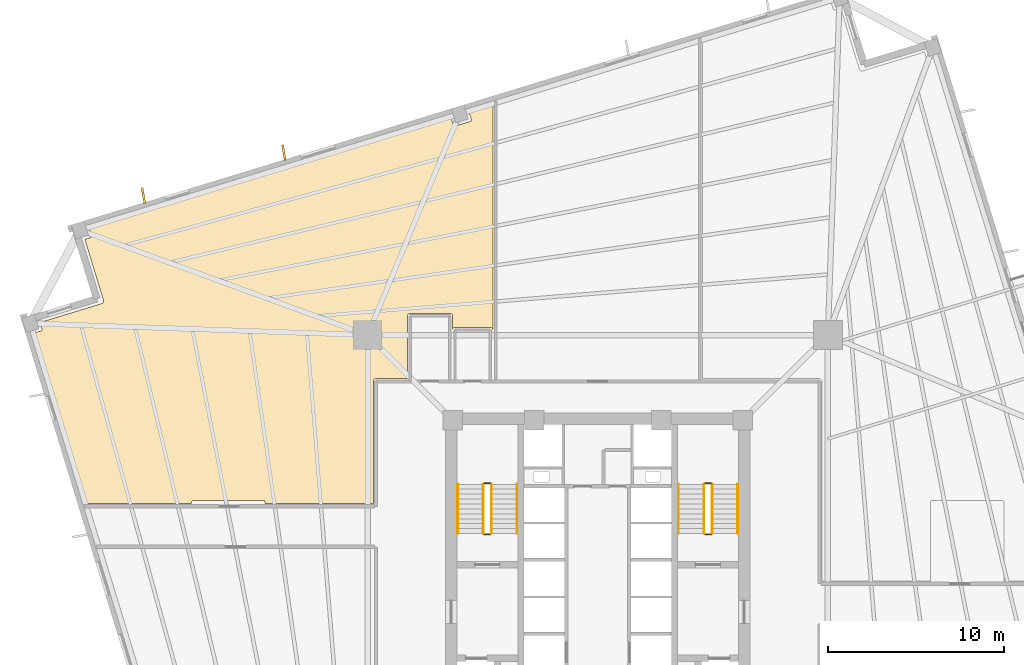
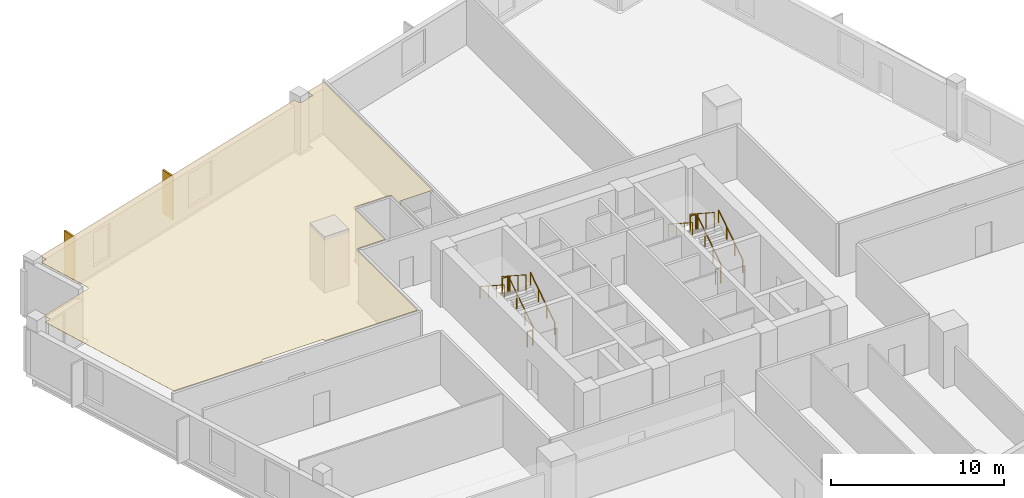
# One storey, part 8 of 9: 12 railings, 3 coverings.
"""IFC4 building model written with IfcOpenShell, lengths in metres."""

from ifc_helpers import new_model, si_unit, direction, frame, origin, origin_2d, place, context, subcontext, project, spatial, polyline, rectangle, circle, outline, extrude, source, transform, mapped, material, layer, layer_set, type_object, element, save


model = new_model("IFC4")

# Units and contexts
model_context = context("Model", 3, precision=1e-05, world=origin(), true_north=direction((0.0, 1.0)))
body_context = subcontext(model_context, "Body", "Model", "MODEL_VIEW")
ifc_project = project(units=[si_unit("LENGTHUNIT", "METRE"), si_unit("AREAUNIT", "SQUARE_METRE"), si_unit("VOLUMEUNIT", "CUBIC_METRE"), si_unit("PLANEANGLEUNIT", "RADIAN"), si_unit("MASSUNIT", "GRAM", prefix="KILO"), si_unit("THERMODYNAMICTEMPERATUREUNIT", "KELVIN")], contexts=[model_context])

# Site, building, storey
site_placement = place(None, origin())
site = spatial("IfcSite", under=ifc_project, at=site_placement, CompositionType="ELEMENT")
building_placement = place(site_placement, origin())
building = spatial("IfcBuilding", under=site, at=building_placement, Name="Kosmvard Interchange Tower", CompositionType="ELEMENT")
storey_placement = place(building_placement, frame((0.0, 0.0, 107.199951171875)))
storey = spatial("IfcBuildingStorey", under=building, at=storey_placement, Name="L25", CompositionType="ELEMENT", Elevation=107.199951171875)

# Coverings
ifc_material_1 = material(Name="Acoustic gypsum ceiling tile")
ifc_layer_1 = layer(ifc_material_1, 0.02490234375, Name="Acoustic gypsum ceiling tile")
ifc_layer_set_1 = layer_set([ifc_layer_1], Name="Acoustic gypsum ceiling tile")
covering_type_1 = type_object("IfcCoveringType", Name="Acoustic Perforated Suspended Ceiling 25", PredefinedType="CEILING", material=ifc_layer_set_1)
covering_placement = place(storey_placement, frame((0.0, 0.0, 3.715087890625)))
element("IfcCovering", 1, at=covering_placement, inside=storey, type_object=covering_type_1, Name="L25 Acoustic Ceiling L25-LNG1", PredefinedType="CEILING", context=body_context, shape_type="SweptSolid", body=[
    extrude(outline(polyline([(-8.284912109375, 14.248779296875), (-8.281494140625, 14.2431640625), (-8.27783203125, 14.236328125), (-8.27490234375, 14.230224609375), (-8.27197265625, 14.222900390625), (-8.269775390625, 14.216796875), (-8.267578125, 14.209228515625), (-8.265869140625, 14.20263671875), (-8.264404296875, 14.195068359375), (-8.263427734375, 14.1884765625), (-8.2626953125, 14.1806640625), (-8.26220703125, 14.173828125), (-8.26220703125, 14.169921875), (-8.26220703125, 10.60498046875), (-8.259033203125, 10.60498046875), (-8.259033203125, 13.3701171875), (-8.259033203125, 13.3740234375), (-8.258544921875, 13.380615234375), (-8.2578125, 13.388427734375), (-8.2568359375, 13.39501953125), (-8.25537109375, 13.402587890625), (-8.253662109375, 13.4091796875), (-8.25146484375, 13.416748046875), (-8.249267578125, 13.423095703125), (-8.246337890625, 13.43017578125), (-8.243408203125, 13.436279296875), (-8.23974609375, 13.443115234375), (-8.236328125, 13.448974609375), (-8.23193359375, 13.45556640625), (-8.227783203125, 13.4609375), (-8.222900390625, 13.466796875), (-8.218505859375, 13.471923828125), (-8.212890625, 13.477294921875), (-8.2080078125, 13.48193359375), (-8.201904296875, 13.48681640625), (-8.196533203125, 13.49072265625), (-8.18994140625, 13.4951171875), (-8.184326171875, 13.49853515625), (-8.17724609375, 13.502197265625), (-8.17138671875, 13.505126953125), (-8.1640625, 13.508056640625), (-8.15771484375, 13.510498046875), (-8.150146484375, 13.5126953125), (-8.143798828125, 13.514404296875), (-8.135986328125, 13.515869140625), (-8.12939453125, 13.516845703125), (-8.12158203125, 13.517578125), (-8.114990234375, 13.517822265625), (-8.111083984375, 13.51806640625), (-6.111083984375, 13.51806640625), (-6.107177734375, 13.517822265625), (-6.100341796875, 13.517578125), (-6.0927734375, 13.516845703125), (-6.086181640625, 13.515869140625), (-6.078369140625, 13.514404296875), (-6.072021484375, 13.5126953125), (-6.064453125, 13.510498046875), (-6.05810546875, 13.508056640625), (-6.05078125, 13.505126953125), (-6.044921875, 13.502197265625), (-6.037841796875, 13.49853515625), (-6.0322265625, 13.4951171875), (-6.025634765625, 13.49072265625), (-6.020263671875, 13.48681640625), (-6.01416015625, 13.48193359375), (-6.00927734375, 13.477294921875), (-6.003662109375, 13.471923828125), (-5.999267578125, 13.466796875), (-5.994140625, 13.460693359375), (-5.990234375, 13.455322265625), (-5.98583984375, 13.448974609375), (-5.982421875, 13.443115234375), (-5.978759765625, 13.436279296875), (-5.97607421875, 13.430419921875), (-5.972900390625, 13.423095703125), (-5.970703125, 13.416748046875), (-5.968505859375, 13.4091796875), (-5.966796875, 13.402587890625), (-5.96533203125, 13.39501953125), (-5.96435546875, 13.388427734375), (-5.96337890625, 13.380615234375), (-5.963134765625, 13.373779296875), (-5.963134765625, 13.3701171875), (-5.963134765625, 10.60498046875), (-5.9599609375, 10.60498046875), (-5.9599609375, 26.113525390625), (-7.299072265625, 25.7041015625), (-7.18359375, 25.326416015625), (-7.181640625, 25.31884765625), (-7.180419921875, 25.31103515625), (-7.18017578125, 25.30322265625), (-7.180419921875, 25.29541015625), (-7.181640625, 25.28759765625), (-7.18359375, 25.280029296875), (-7.18603515625, 25.2724609375), (-7.189453125, 25.265380859375), (-7.193603515625, 25.2587890625), (-7.1982421875, 25.25244140625), (-7.203369140625, 25.24658203125), (-7.209228515625, 25.2412109375), (-7.215576171875, 25.236572265625), (-7.22216796875, 25.232421875), (-7.229248046875, 25.229248046875), (-7.23681640625, 25.2265625), (-8.10693359375, 24.96044921875), (-8.114501953125, 24.95849609375), (-8.122314453125, 24.957275390625), (-8.130126953125, 24.95703125), (-8.137939453125, 24.957275390625), (-8.145751953125, 24.95849609375), (-8.1533203125, 24.960205078125), (-8.160888671875, 24.962890625), (-8.16796875, 24.96630859375), (-8.174560546875, 24.97021484375), (-8.180908203125, 24.974853515625), (-8.186767578125, 24.980224609375), (-8.192138671875, 24.986083984375), (-8.19677734375, 24.992431640625), (-8.200927734375, 24.9990234375), (-8.2041015625, 25.006103515625), (-8.206787109375, 25.013427734375), (-8.322265625, 25.391357421875), (-28.8876953125, 19.103759765625), (-28.772216796875, 18.72607421875), (-28.770263671875, 18.718505859375), (-28.76904296875, 18.710693359375), (-28.768798828125, 18.702880859375), (-28.76904296875, 18.695068359375), (-28.770263671875, 18.687255859375), (-28.77197265625, 18.6796875), (-28.774658203125, 18.672119140625), (-28.778076171875, 18.6650390625), (-28.781982421875, 18.658447265625), (-28.78662109375, 18.652099609375), (-28.7919921875, 18.646240234375), (-28.7978515625, 18.640869140625), (-28.80419921875, 18.63623046875), (-28.810791015625, 18.63232421875), (-28.81787109375, 18.62890625), (-28.8251953125, 18.626220703125), (-29.1552734375, 18.525390625), (-28.096923828125, 15.0634765625), (-28.095703125, 15.0595703125), (-28.093994140625, 15.052490234375), (-28.092529296875, 15.044921875), (-28.09130859375, 15.03759765625), (-28.090576171875, 15.02978515625), (-28.090087890625, 15.0224609375), (-28.090087890625, 15.014404296875), (-28.090576171875, 15.007080078125), (-28.09130859375, 14.99951171875), (-28.09228515625, 14.9921875), (-28.09375, 14.984375), (-28.095703125, 14.977294921875), (-28.097900390625, 14.9697265625), (-28.100341796875, 14.962646484375), (-28.103271484375, 14.95556640625), (-28.1064453125, 14.948974609375), (-28.110107421875, 14.942138671875), (-28.11376953125, 14.935791015625), (-28.1181640625, 14.92919921875), (-28.12255859375, 14.923095703125), (-28.127685546875, 14.9169921875), (-28.132568359375, 14.91162109375), (-28.137939453125, 14.906005859375), (-28.1435546875, 14.901123046875), (-28.149658203125, 14.89599609375), (-28.155517578125, 14.8916015625), (-28.161865234375, 14.887451171875), (-28.168212890625, 14.883544921875), (-28.17529296875, 14.8798828125), (-28.181884765625, 14.876708984375), (-28.18896484375, 14.873779296875), (-28.196044921875, 14.87109375), (-28.19970703125, 14.869873046875), (-31.70947265625, 13.796875), (-31.593994140625, 13.419189453125), (-31.592041015625, 13.41162109375), (-31.5908203125, 13.40380859375), (-31.59033203125, 13.39599609375), (-31.5908203125, 13.38818359375), (-31.591796875, 13.38037109375), (-31.59375, 13.372802734375), (-31.596435546875, 13.365234375), (-31.599853515625, 13.358154296875), (-31.603759765625, 13.3515625), (-31.6083984375, 13.34521484375), (-31.61376953125, 13.33935546875), (-31.61962890625, 13.333984375), (-31.625732421875, 13.329345703125), (-31.632568359375, 13.325439453125), (-31.6396484375, 13.322021484375), (-31.64697265625, 13.3193359375), (-31.97705078125, 13.218505859375), (-29.00732421875, 3.5048828125), (-23.080078125, 3.5048828125), (-23.080078125, 3.60009765625), (-23.07958984375, 3.60791015625), (-23.078369140625, 3.61572265625), (-23.07666015625, 3.623291015625), (-23.073974609375, 3.630615234375), (-23.070556640625, 3.6376953125), (-23.06640625, 3.64453125), (-23.061767578125, 3.650634765625), (-23.056640625, 3.656494140625), (-23.05078125, 3.661865234375), (-23.04443359375, 3.66650390625), (-23.03759765625, 3.670654296875), (-23.030517578125, 3.673828125), (-23.023193359375, 3.676513671875), (-23.015625, 3.678466796875), (-23.0078125, 3.6796875), (-23.0, 3.679931640625), (-19.0, 3.679931640625), (-18.9921875, 3.6796875), (-18.984375, 3.678466796875), (-18.976806640625, 3.676513671875), (-18.969482421875, 3.673828125), (-18.96240234375, 3.670654296875), (-18.95556640625, 3.66650390625), (-18.94921875, 3.661865234375), (-18.943359375, 3.656494140625), (-18.938232421875, 3.650634765625), (-18.93359375, 3.64453125), (-18.929443359375, 3.6376953125), (-18.926025390625, 3.630615234375), (-18.92333984375, 3.623291015625), (-18.921630859375, 3.61572265625), (-18.92041015625, 3.60791015625), (-18.919921875, 3.60009765625), (-18.919921875, 3.5048828125), (-12.7548828125, 3.5048828125), (-12.7548828125, 10.449951171875), (-12.7548828125, 10.453857421875), (-12.754638671875, 10.461181640625), (-12.753662109375, 10.468994140625), (-12.752685546875, 10.476318359375), (-12.751220703125, 10.484130859375), (-12.749267578125, 10.4912109375), (-12.7470703125, 10.498779296875), (-12.74462890625, 10.505615234375), (-12.74169921875, 10.512939453125), (-12.738525390625, 10.51953125), (-12.73486328125, 10.5263671875), (-12.73095703125, 10.53271484375), (-12.7265625, 10.539306640625), (-12.72216796875, 10.545166015625), (-12.71728515625, 10.55126953125), (-12.712158203125, 10.556884765625), (-12.706787109375, 10.562255859375), (-12.701416015625, 10.567138671875), (-12.6953125, 10.572265625), (-12.689208984375, 10.57666015625), (-12.6826171875, 10.5810546875), (-12.676513671875, 10.584716796875), (-12.669677734375, 10.58837890625), (-12.662841796875, 10.591552734375), (-12.65576171875, 10.5947265625), (-12.648681640625, 10.59716796875), (-12.64111328125, 10.599365234375), (-12.634033203125, 10.60107421875), (-12.62646484375, 10.602783203125), (-12.619140625, 10.603759765625), (-12.611328125, 10.6044921875), (-12.60400390625, 10.60498046875), (-12.60009765625, 10.60498046875), (-10.80810546875, 10.60498046875), (-10.80810546875, 14.169921875), (-10.80810546875, 14.173828125), (-10.807861328125, 14.180419921875), (-10.806884765625, 14.1884765625), (-10.805908203125, 14.195068359375), (-10.804443359375, 14.20263671875), (-10.802734375, 14.209228515625), (-10.800537109375, 14.216796875), (-10.79833984375, 14.222900390625), (-10.795166015625, 14.230224609375), (-10.79248046875, 14.236328125), (-10.788818359375, 14.2431640625), (-10.785400390625, 14.248779296875), (-10.781005859375, 14.25537109375), (-10.777099609375, 14.2607421875), (-10.77197265625, 14.266845703125), (-10.767578125, 14.271728515625), (-10.761962890625, 14.27734375), (-10.757080078125, 14.281982421875), (-10.7509765625, 14.286865234375), (-10.74560546875, 14.290771484375), (-10.739013671875, 14.295166015625), (-10.7333984375, 14.298583984375), (-10.726318359375, 14.30224609375), (-10.720458984375, 14.30517578125), (-10.713134765625, 14.30810546875), (-10.706787109375, 14.310302734375), (-10.69921875, 14.312744140625), (-10.69287109375, 14.314208984375), (-10.68505859375, 14.31591796875), (-10.678466796875, 14.31689453125), (-10.670654296875, 14.317626953125), (-10.6640625, 14.31787109375), (-10.66015625, 14.318115234375), (-8.41015625, 14.318115234375), (-8.40625, 14.31787109375), (-8.3994140625, 14.317626953125), (-8.391845703125, 14.31689453125), (-8.38525390625, 14.31591796875), (-8.37744140625, 14.314208984375), (-8.37109375, 14.312744140625), (-8.363525390625, 14.310302734375), (-8.357177734375, 14.30810546875), (-8.349853515625, 14.30517578125), (-8.343994140625, 14.30224609375), (-8.3369140625, 14.298583984375), (-8.331298828125, 14.295166015625), (-8.32470703125, 14.290771484375), (-8.3193359375, 14.286865234375), (-8.313232421875, 14.28173828125), (-8.308349609375, 14.27734375), (-8.302734375, 14.271728515625), (-8.29833984375, 14.266845703125), (-8.29345703125, 14.2607421875), (-8.289306640625, 14.25537109375), (-8.284912109375, 14.248779296875)])), origin(), (0.0, 0.0, 1.0), 0.02490234375),
])
ifc_material_2 = material(Name="Architectural anodised aluminium", Category="aluminium")
ifc_layer_2 = layer(ifc_material_2, 0.1201171875, Name="Architectural anodised aluminium")
ifc_layer_set_2 = layer_set([ifc_layer_2], Name="Architectural anodised aluminium")
covering_type_2 = type_object("IfcCoveringType", Name="Rotating Vertical Sun-Breaker Fin 900x120 Aluminium", PredefinedType="CLADDING", material=ifc_layer_set_2)
shared_shape_1 = source(origin(), body_context, "Body", "SweptSolid", [
    extrude(rectangle(XDim=0.89990234375, YDim=0.1201171875, at=origin_2d()), origin(), (0.0, 0.0, 1.0), 3.06005859375),
])
for number, where, z_axis, x_axis, name in (
    (2, (-17.841796875, 23.45849609375, 0.0400390625), (0.0, 0.0, 1.0), (-0.173820056399, 0.984777430688, 0.0), "L25 Rotating Vertical Sun-Breaker Fin 11"),
    (3, (-25.825439453125, 21.017822265625, 0.0400390625), (0.0, 0.0, 1.0), (-0.173820056399, 0.984777430688, 0.0), "L25 Rotating Vertical Sun-Breaker Fin 12"),
):
    element("IfcCovering", number, at=place(storey_placement, frame(where, z_axis=z_axis, x_axis=x_axis)), inside=storey, type_object=covering_type_2, Name=name, PredefinedType="CLADDING", context=body_context, shape_type="MappedRepresentation", body=[
        mapped(shared_shape_1, transform((0.0, 0.0, 0.0), scale=1.0)),
    ])

# Railings
ifc_material_3 = material(Name="Steel S355", Category="steel")
railing_type_1 = type_object("IfcRailingType", Name="Stair & Terrace Safety Guardrail 1100 Steel", PredefinedType="GUARDRAIL", material=ifc_material_3)
shared_shape_2 = source(origin(), body_context, "Body", "SweptSolid", [
    extrude(circle(Radius=0.02392578125, at=origin_2d()), frame((0.0, 0.0, 1.076171875), z_axis=(-1.0, 0.0, 0.0), x_axis=(0.0, -1.0, 0.0)), (0.0, 0.0, 1.0), 0.35986328125),
    extrude(circle(Radius=0.02099609375, at=origin_2d()), origin(), (0.0, 0.0, 1.0), 1.052001953125),
    extrude(circle(Radius=0.02099609375, at=origin_2d()), frame((-0.35986328125, 0.0, 0.0)), (0.0, 0.0, 1.0), 1.052001953125),
])
for number, where, name in (
    (4, (-6.090087890625, 4.64990234375, 2.0), "L25 ST-1 stair guard 2"),
    (5, (-6.090087890625, 1.75, 0.0), "L25 ST-1 stair guard 4"),
    (6, (6.449951171875, 4.64990234375, 2.0), "L25 ST-2 stair guard 2"),
    (7, (6.449951171875, 1.75, 0.0), "L25 ST-2 stair guard 4"),
):
    element("IfcRailing", number, at=place(storey_placement, frame(where)), inside=storey, type_object=railing_type_1, Name=name, PredefinedType="GUARDRAIL", context=body_context, shape_type="MappedRepresentation", body=[
        mapped(shared_shape_2, transform((0.0, 0.0, 0.0), scale=1.0)),
    ])
shared_shape_3 = source(origin(), body_context, "Body", "SweptSolid", [
    extrude(circle(Radius=0.02392578125, at=origin_2d()), frame((0.0, 0.0, 1.076171875), z_axis=(0.0, 0.838705829183, 0.544584733623), x_axis=(-1.0, 0.0, 0.0)), (0.0, 0.0, 1.0), 3.338623046875),
    extrude(circle(Radius=0.02099609375, at=origin_2d()), origin(), (0.0, 0.0, 1.0), 1.052001953125),
    extrude(circle(Radius=0.02099609375, at=origin_2d()), frame((0.0, 0.933349609375, 0.60595703125)), (0.0, 0.0, 1.0), 1.052001953125),
    extrude(circle(Radius=0.02099609375, at=origin_2d()), frame((0.0, 1.86669921875, 1.212158203125)), (0.0, 0.0, 1.0), 1.052001953125),
    extrude(circle(Radius=0.02099609375, at=origin_2d()), frame((0.0, 2.800048828125, 1.818115234375)), (0.0, 0.0, 1.0), 1.052001953125),
])
for number, where, name in (
    (8, (-6.0400390625, 1.800048828125, 0.181884765625), "L25 ST-1 stair guard 1"),
    (9, (6.5, 1.800048828125, 0.181884765625), "L25 ST-2 stair guard 1"),
):
    element("IfcRailing", number, at=place(storey_placement, frame(where)), inside=storey, type_object=railing_type_1, Name=name, PredefinedType="GUARDRAIL", context=body_context, shape_type="MappedRepresentation", body=[
        mapped(shared_shape_3, transform((0.0, 0.0, 0.0), scale=1.0)),
    ])
shared_shape_4 = source(origin(), body_context, "Body", "SweptSolid", [
    extrude(circle(Radius=0.02392578125, at=origin_2d()), frame((0.0, 0.0, 1.076171875), z_axis=(0.0, -0.838705829183, 0.544584733623), x_axis=(1.0, 0.0, 0.0)), (0.0, 0.0, 1.0), 3.338623046875),
    extrude(circle(Radius=0.02099609375, at=origin_2d()), origin(), (0.0, 0.0, 1.0), 1.052001953125),
    extrude(circle(Radius=0.02099609375, at=origin_2d()), frame((0.0, -0.933349609375, 0.60595703125)), (0.0, 0.0, 1.0), 1.052001953125),
    extrude(circle(Radius=0.02099609375, at=origin_2d()), frame((0.0, -1.86669921875, 1.212158203125)), (0.0, 0.0, 1.0), 1.052001953125),
    extrude(circle(Radius=0.02099609375, at=origin_2d()), frame((0.0, -2.800048828125, 1.818115234375)), (0.0, 0.0, 1.0), 1.052001953125),
])
for number, where, name in (
    (10, (-6.5, 4.60009765625, 2.181884765625), "L25 ST-1 stair guard 3"),
    (11, (6.0400390625, 4.60009765625, 2.181884765625), "L25 ST-2 stair guard 3"),
):
    element("IfcRailing", number, at=place(storey_placement, frame(where)), inside=storey, type_object=railing_type_1, Name=name, PredefinedType="GUARDRAIL", context=body_context, shape_type="MappedRepresentation", body=[
        mapped(shared_shape_4, transform((0.0, 0.0, 0.0), scale=1.0)),
    ])
railing_type_2 = type_object("IfcRailingType", Name="Wall-Mounted Stair Handrail 900 Steel", PredefinedType="HANDRAIL", material=ifc_material_3)
shared_shape_5 = source(origin(), body_context, "Body", "SweptSolid", [
    extrude(circle(Radius=0.02392578125, at=origin_2d()), frame((0.0, 0.0, 0.8759765625), z_axis=(0.0, 0.838705829183, 0.544584733623), x_axis=(-1.0, 0.0, 0.0)), (0.0, 0.0, 1.0), 3.338623046875),
    extrude(circle(Radius=0.02099609375, at=origin_2d()), origin(), (0.0, 0.0, 1.0), 0.851806640625),
    extrude(circle(Radius=0.02099609375, at=origin_2d()), frame((0.0, 0.933349609375, 0.60595703125)), (0.0, 0.0, 1.0), 0.851806640625),
    extrude(circle(Radius=0.02099609375, at=origin_2d()), frame((0.0, 1.86669921875, 1.212158203125)), (0.0, 0.0, 1.0), 0.851806640625),
    extrude(circle(Radius=0.02099609375, at=origin_2d()), frame((0.0, 2.800048828125, 1.818115234375)), (0.0, 0.0, 1.0), 0.851806640625),
])
for number, where, name in (
    (12, (-4.590087890625, 1.800048828125, 0.181884765625), "L25 ST-1 stair handrail 1"),
    (13, (7.949951171875, 1.800048828125, 0.181884765625), "L25 ST-2 stair handrail 1"),
):
    element("IfcRailing", number, at=place(storey_placement, frame(where)), inside=storey, type_object=railing_type_2, Name=name, PredefinedType="HANDRAIL", context=body_context, shape_type="MappedRepresentation", body=[
        mapped(shared_shape_5, transform((0.0, 0.0, 0.0), scale=1.0)),
    ])
shared_shape_6 = source(origin(), body_context, "Body", "SweptSolid", [
    extrude(circle(Radius=0.02392578125, at=origin_2d()), frame((0.0, 0.0, 0.8759765625), z_axis=(0.0, -0.838705829183, 0.544584733623), x_axis=(1.0, 0.0, 0.0)), (0.0, 0.0, 1.0), 3.338623046875),
    extrude(circle(Radius=0.02099609375, at=origin_2d()), origin(), (0.0, 0.0, 1.0), 0.851806640625),
    extrude(circle(Radius=0.02099609375, at=origin_2d()), frame((0.0, -0.933349609375, 0.60595703125)), (0.0, 0.0, 1.0), 0.851806640625),
    extrude(circle(Radius=0.02099609375, at=origin_2d()), frame((0.0, -1.86669921875, 1.212158203125)), (0.0, 0.0, 1.0), 0.851806640625),
    extrude(circle(Radius=0.02099609375, at=origin_2d()), frame((0.0, -2.800048828125, 1.818115234375)), (0.0, 0.0, 1.0), 0.851806640625),
])
for number, where, name in (
    (14, (-7.949951171875, 4.60009765625, 2.181884765625), "L25 ST-1 stair handrail 2"),
    (15, (4.590087890625, 4.60009765625, 2.181884765625), "L25 ST-2 stair handrail 2"),
):
    element("IfcRailing", number, at=place(storey_placement, frame(where)), inside=storey, type_object=railing_type_2, Name=name, PredefinedType="HANDRAIL", context=body_context, shape_type="MappedRepresentation", body=[
        mapped(shared_shape_6, transform((0.0, 0.0, 0.0), scale=1.0)),
    ])

save(model, "model.ifc")
